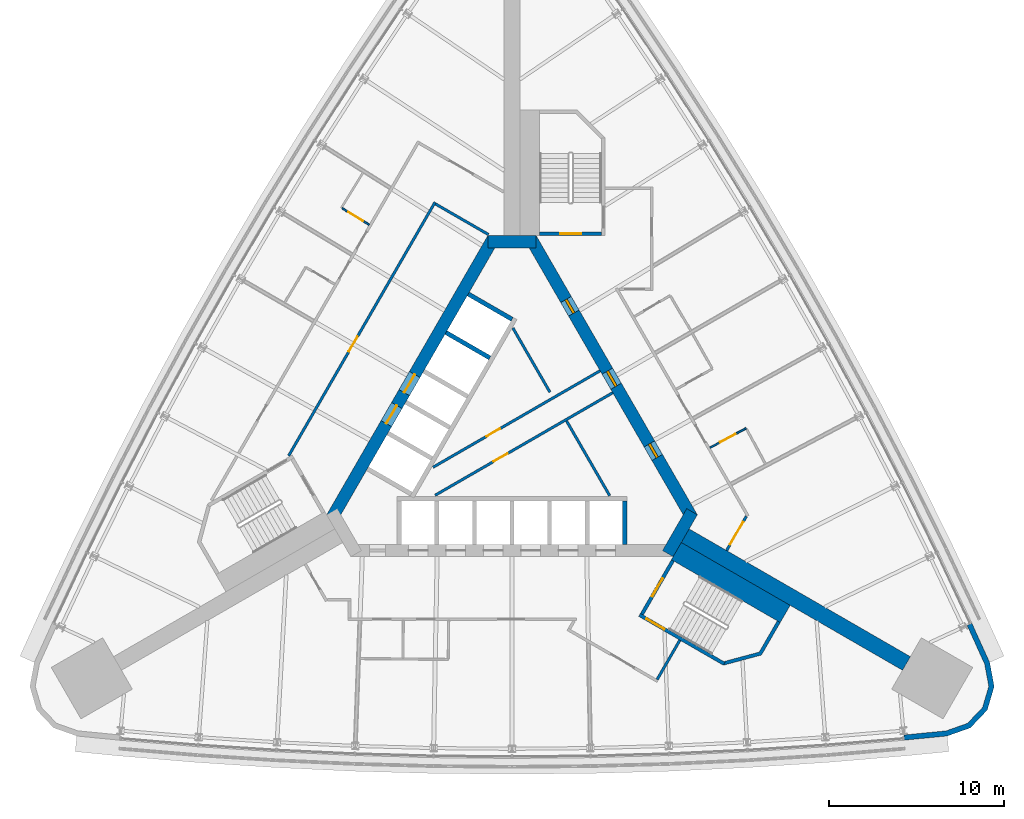
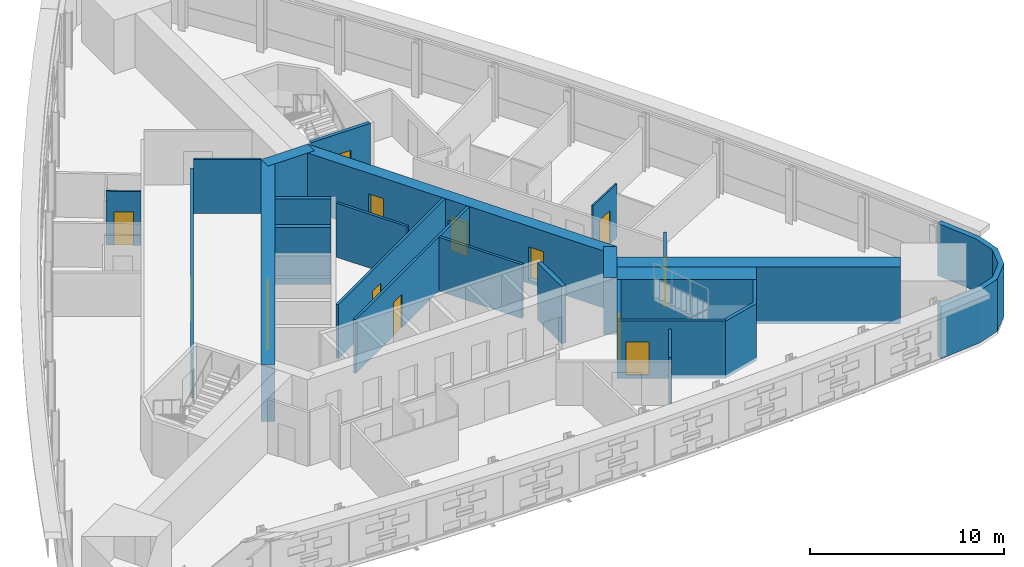
# One storey, part 11 of 15: 24 walls, 14 doors, 14 openings.
"""IFC4 building model written with IfcOpenShell, lengths in metres."""

from ifc_helpers import new_model, si_unit, direction, frame, frame_2d, origin, place, context, subcontext, project, spatial, polyline, rectangle, outline, extrude, material, layer, layer_set, type_object, element, fill, save


model = new_model("IFC4")

# Units and contexts
model_context = context("Model", 3, precision=1e-05, world=origin(), true_north=direction((0.0, 1.0)))
body_context = subcontext(model_context, "Body", "Model", "MODEL_VIEW")
ifc_project = project(units=[si_unit("LENGTHUNIT", "METRE"), si_unit("AREAUNIT", "SQUARE_METRE"), si_unit("VOLUMEUNIT", "CUBIC_METRE"), si_unit("PLANEANGLEUNIT", "RADIAN"), si_unit("MASSUNIT", "GRAM", prefix="KILO")], contexts=[model_context])

# Site, building, storey
site_placement = place(None, origin())
site = spatial("IfcSite", under=ifc_project, at=site_placement, CompositionType="ELEMENT")
building_placement = place(site_placement, origin())
building = spatial("IfcBuilding", under=site, at=building_placement, Name="Noor Cloister Tower", CompositionType="ELEMENT")
storey_placement = place(building_placement, frame((0.0, 0.0, 27.60009765625)))
storey = spatial("IfcBuildingStorey", under=building, at=storey_placement, Name="L06", CompositionType="ELEMENT", Elevation=27.60009765625)

# Wall
ifc_material_1 = material(Name="Concrete C80/95", Category="concrete")
ifc_layer_1 = layer(ifc_material_1, 0.89990234375)
ifc_layer_set_1 = layer_set([ifc_layer_1], Name="Buttress wall 900 C80/95")
wall_type_1 = type_object("IfcWallType", Name="Buttress wall 900 C80/95", PredefinedType="SHEAR", material=ifc_layer_set_1)
wall_1_placement = place(storey_placement, frame((9.921630859375, -5.728271484375, -0.2001953125), z_axis=(0.0, 0.0, 1.0), x_axis=(0.866028046028, -0.499995423472, 0.0)))
element("IfcWall", 1, at=wall_1_placement, inside=storey, type_object=wall_type_1, Name="Buttress wall SE L06", PredefinedType="SHEAR", context=body_context, shape_type="SweptSolid", body=[
    extrude(rectangle(XDim=14.632568359375, YDim=0.89990234375, at=frame_2d((7.31640625, 0.0))), origin(), (0.0, 0.0, 1.0), 3.60009765625),
])

# Wall, opening, door
ifc_material_2 = material(Name="Concrete C30/37", Category="concrete")
ifc_layer_2 = layer(ifc_material_2, 0.14990234375)
ifc_layer_set_2 = layer_set([ifc_layer_2], Name="Core partition 150 C30/37")
wall_type_2 = type_object("IfcWallType", Name="Core partition 150 C30/37", PredefinedType="PARTITIONING", material=ifc_layer_set_2)
wall_2_placement = place(storey_placement, frame((-4.522705078125, -1.80712890625, 0.0), z_axis=(0.0, 0.0, 1.0), x_axis=(0.866030300338, 0.499991518824, 0.0)))
wall_2 = element("IfcWall", 2, at=wall_2_placement, inside=storey, type_object=wall_type_2, Name="Core room partition L06 1", PredefinedType="PARTITIONING", context=body_context, shape_type="SweptSolid", body=[
    extrude(rectangle(XDim=11.048583984375, YDim=0.14990234375, at=frame_2d((5.5244140625, 0.0))), origin(), (0.0, 0.0, 1.0), 3.39990234375),
])
opening_1_placement = place(wall_2_placement, frame((3.525390625, 0.0, 0.0)))
opening_1 = element("IfcOpeningElement", 3, at=opening_1_placement, cuts=wall_2, Name="Opening L06-906", PredefinedType="OPENING", context=body_context, shape_type="SweptSolid", body=[
    extrude(rectangle(XDim=0.89990234375, YDim=2.10009765625, at=frame_2d((0.449951171875, 1.050048828125))), frame((0.0, 0.0849609375, 0.0), z_axis=(0.0, -1.0, 0.0), x_axis=(1.0, 0.0, 0.0)), (0.0, 0.0, 1.0), 0.169921875),
])
ifc_material_3 = material(Name="Steel", Category="steel")
door_type_1 = type_object("IfcDoorType", Name="Core door 900 x 2100 FD60", OperationType="SINGLE_SWING_LEFT", PredefinedType="DOOR", material=ifc_material_3)
door_1_placement = place(opening_1_placement, origin())
door_1 = element("IfcDoor", 4, at=door_1_placement, inside=storey, type_object=door_type_1, Name="Core door 6 L06", OperationType="SINGLE_SWING_RIGHT", OverallHeight=2.10009765625, OverallWidth=0.89990234375, PredefinedType="DOOR", context=body_context, shape_type="SweptSolid", body=[
    extrude(rectangle(XDim=0.89990234375, YDim=2.10009765625, at=frame_2d((0.449951171875, 1.050048828125))), frame((0.0, 0.02490234375, 0.0), z_axis=(0.0, -1.0, 0.0), x_axis=(1.0, 0.0, 0.0)), (0.0, 0.0, 1.0), 0.050048828125),
])
fill(opening_1, door_1)

wall_3_placement = place(storey_placement, frame((-4.404296875, -3.4130859375, 0.0), z_axis=(0.0, 0.0, 1.0), x_axis=(0.866022252853, 0.500005457533, 0.0)))
wall_3 = element("IfcWall", 5, at=wall_3_placement, inside=storey, type_object=wall_type_2, Name="Core room partition L06 2", PredefinedType="PARTITIONING", context=body_context, shape_type="SweptSolid", body=[
    extrude(rectangle(XDim=11.748779296875, YDim=0.14990234375, at=frame_2d((5.87451171875, 0.0))), origin(), (0.0, 0.0, 1.0), 3.39990234375),
])
opening_2_placement = place(wall_3_placement, frame((3.87548828125, 0.0, 0.0)))
opening_2 = element("IfcOpeningElement", 6, at=opening_2_placement, cuts=wall_3, Name="Opening L06-904", PredefinedType="OPENING", context=body_context, shape_type="SweptSolid", body=[
    extrude(rectangle(XDim=0.89990234375, YDim=2.10009765625, at=frame_2d((0.449951171875, 1.050048828125))), frame((0.0, 0.0849609375, 0.0), z_axis=(0.0, -1.0, 0.0), x_axis=(1.0, 0.0, 0.0)), (0.0, 0.0, 1.0), 0.169921875),
])
ifc_material_4 = material(Name="Steel", Category="steel")
door_type_2 = type_object("IfcDoorType", Name="Core door 900 x 2100 FD120", OperationType="SINGLE_SWING_LEFT", PredefinedType="DOOR", material=ifc_material_4)
door_2_placement = place(opening_2_placement, origin())
door_2 = element("IfcDoor", 7, at=door_2_placement, inside=storey, type_object=door_type_2, Name="Core door 4 L06", OperationType="SINGLE_SWING_RIGHT", OverallHeight=2.10009765625, OverallWidth=0.89990234375, PredefinedType="DOOR", context=body_context, shape_type="SweptSolid", body=[
    extrude(rectangle(XDim=0.89990234375, YDim=2.10009765625, at=frame_2d((0.449951171875, 1.050048828125))), frame((0.0, 0.02490234375, 0.0), z_axis=(0.0, -1.0, 0.0), x_axis=(1.0, 0.0, 0.0)), (0.0, 0.0, 1.0), 0.050048828125),
])
fill(opening_2, door_2)

# Walls
wall_4_placement = place(storey_placement, frame((2.173583984375, 2.491943359375, 0.0), z_axis=(0.0, 0.0, 1.0), x_axis=(-0.499999641798, 0.866025610592, 0.0)))
element("IfcWall", 8, at=wall_4_placement, inside=storey, type_object=wall_type_2, Name="Core room partition L06 3", PredefinedType="PARTITIONING", context=body_context, shape_type="SweptSolid", body=[
    extrude(rectangle(XDim=4.244140625, YDim=0.14990234375, at=frame_2d((2.1220703125, 0.0))), origin(), (0.0, 0.0, 1.0), 3.39990234375),
])
wall_5_placement = place(storey_placement, frame((5.597900390625, -3.439208984375, 0.0), z_axis=(0.0, 0.0, 1.0), x_axis=(-0.500007155043, 0.866021272779, 0.0)))
element("IfcWall", 9, at=wall_5_placement, inside=storey, type_object=wall_type_2, Name="Core room partition L06 4", PredefinedType="PARTITIONING", context=body_context, shape_type="SweptSolid", body=[
    extrude(rectangle(XDim=4.94873046875, YDim=0.14990234375, at=frame_2d((2.474365234375, 0.0))), origin(), (0.0, 0.0, 1.0), 3.39990234375),
])
ifc_material_5 = material(Name="Concrete C80/95", Category="concrete")
ifc_layer_3 = layer(ifc_material_5, 0.699951171875)
ifc_layer_set_3 = layer_set([ifc_layer_3], Name="Core wall 700 C80/95")
wall_type_3 = type_object("IfcWallType", Name="Core wall 700 C80/95", PredefinedType="SHEAR", material=ifc_layer_set_3)
wall_6_placement = place(storey_placement, frame((8.925537109375, -6.753173828125, -0.2001953125), z_axis=(0.0, 0.0, 1.0), x_axis=(0.500042739161, 0.866000726912, 0.0)))
element("IfcWall", 10, at=wall_6_placement, inside=storey, type_object=wall_type_3, Name="Core wall L06 2", PredefinedType="SHEAR", context=body_context, shape_type="SweptSolid", body=[
    extrude(rectangle(XDim=2.771240234375, YDim=0.699951171875, at=frame_2d((1.3857421875, 0.0))), origin(), (0.0, 0.0, 1.0), 3.60009765625),
])

# Wall, openings, doors
wall_7_placement = place(storey_placement, frame((10.311279296875, -4.703125, -0.2001953125), z_axis=(0.0, 0.0, 1.0), x_axis=(-0.500001446645, 0.866024568562, 0.0)))
wall_7 = element("IfcWall", 11, at=wall_7_placement, inside=storey, type_object=wall_type_3, Name="Core wall L06 3", PredefinedType="SHEAR", context=body_context, shape_type="SweptSolid", body=[
    extrude(rectangle(XDim=18.45751953125, YDim=0.699951171875, at=frame_2d((9.228759765625, 0.0))), origin(), (0.0, 0.0, 1.0), 3.60009765625),
])
opening_3_placement = place(wall_7_placement, frame((8.699951171875, 0.0, 0.199951171875)))
opening_3 = element("IfcOpeningElement", 12, at=opening_3_placement, cuts=wall_7, Name="Opening L06-901", PredefinedType="OPENING", context=body_context, shape_type="SweptSolid", body=[
    extrude(rectangle(XDim=1.0, YDim=2.10009765625, at=frame_2d((0.5, 1.050048828125))), frame((0.0, 0.35986328125, 0.0), z_axis=(0.0, -1.0, 0.0), x_axis=(1.0, 0.0, 0.0)), (0.0, 0.0, 1.0), 0.719970703125),
])
opening_4_placement = place(wall_7_placement, frame((3.989501953125, 0.0, 0.199951171875)))
opening_4 = element("IfcOpeningElement", 13, at=opening_4_placement, cuts=wall_7, Name="Opening L06-902", PredefinedType="OPENING", context=body_context, shape_type="SweptSolid", body=[
    extrude(rectangle(XDim=0.89990234375, YDim=2.10009765625, at=frame_2d((0.449951171875, 1.050048828125))), frame((0.0, 0.35986328125, 0.0), z_axis=(0.0, -1.0, 0.0), x_axis=(1.0, 0.0, 0.0)), (0.0, 0.0, 1.0), 0.719970703125),
])
opening_5_placement = place(wall_7_placement, frame((13.539306640625, 0.0, 0.199951171875)))
opening_5 = element("IfcOpeningElement", 14, at=opening_5_placement, cuts=wall_7, Name="Opening L06-903", PredefinedType="OPENING", context=body_context, shape_type="SweptSolid", body=[
    extrude(rectangle(XDim=0.89990234375, YDim=2.10009765625, at=frame_2d((0.449951171875, 1.050048828125))), frame((0.0, 0.35986328125, 0.0), z_axis=(0.0, -1.0, 0.0), x_axis=(1.0, 0.0, 0.0)), (0.0, 0.0, 1.0), 0.719970703125),
])
ifc_material_6 = material(Name="Steel", Category="steel")
door_type_3 = type_object("IfcDoorType", Name="Core door 1000 x 2100 FD120", OperationType="SINGLE_SWING_LEFT", PredefinedType="DOOR", material=ifc_material_6)
door_3_placement = place(opening_3_placement, origin())
door_3 = element("IfcDoor", 15, at=door_3_placement, inside=storey, type_object=door_type_3, Name="Core door 1 L06", OperationType="SINGLE_SWING_LEFT", OverallHeight=2.10009765625, OverallWidth=1.0, PredefinedType="DOOR", context=body_context, shape_type="SweptSolid", body=[
    extrude(rectangle(XDim=1.0, YDim=2.10009765625, at=frame_2d((0.5, 1.050048828125))), frame((0.0, 0.074951171875, 0.0), z_axis=(0.0, -1.0, 0.0), x_axis=(1.0, 0.0, 0.0)), (0.0, 0.0, 1.0), 0.14990234375),
])
fill(opening_3, door_3)
door_4_placement = place(opening_4_placement, origin())
door_4 = element("IfcDoor", 16, at=door_4_placement, inside=storey, type_object=door_type_2, Name="Core door 2 L06", OperationType="SINGLE_SWING_RIGHT", OverallHeight=2.10009765625, OverallWidth=0.89990234375, PredefinedType="DOOR", context=body_context, shape_type="SweptSolid", body=[
    extrude(rectangle(XDim=0.89990234375, YDim=2.10009765625, at=frame_2d((0.449951171875, 1.050048828125))), frame((0.0, 0.074951171875, 0.0), z_axis=(0.0, -1.0, 0.0), x_axis=(1.0, 0.0, 0.0)), (0.0, 0.0, 1.0), 0.14990234375),
])
fill(opening_4, door_4)
door_5_placement = place(opening_5_placement, origin())
door_5 = element("IfcDoor", 17, at=door_5_placement, inside=storey, type_object=door_type_2, Name="Core door 3 L06", OperationType="SINGLE_SWING_LEFT", OverallHeight=2.10009765625, OverallWidth=0.89990234375, PredefinedType="DOOR", context=body_context, shape_type="SweptSolid", body=[
    extrude(rectangle(XDim=0.89990234375, YDim=2.10009765625, at=frame_2d((0.449951171875, 1.050048828125))), frame((0.0, 0.074951171875, 0.0), z_axis=(0.0, -1.0, 0.0), x_axis=(1.0, 0.0, 0.0)), (0.0, 0.0, 1.0), 0.14990234375),
])
fill(opening_5, door_5)

# Wall
wall_8_placement = place(storey_placement, frame((1.3857421875, 11.1064453125, -0.2001953125), z_axis=(0.0, 0.0, 1.0), x_axis=(-1.0, 0.0, 0.0)))
element("IfcWall", 18, at=wall_8_placement, inside=storey, type_object=wall_type_3, Name="Core wall L06 4", PredefinedType="SHEAR", context=body_context, shape_type="SweptSolid", body=[
    extrude(rectangle(XDim=2.771484375, YDim=0.699951171875, at=frame_2d((1.3857421875, 0.0))), origin(), (0.0, 0.0, 1.0), 3.60009765625),
])

# Wall, openings, doors
wall_9_placement = place(storey_placement, frame((-1.08251953125, 11.281494140625, -0.2001953125), z_axis=(0.0, 0.0, 1.0), x_axis=(-0.500001446645, -0.866024568562, 0.0)))
wall_9 = element("IfcWall", 19, at=wall_9_placement, inside=storey, type_object=wall_type_3, Name="Core wall L06 5", PredefinedType="SHEAR", context=body_context, shape_type="SweptSolid", body=[
    extrude(rectangle(XDim=18.45751953125, YDim=0.699951171875, at=frame_2d((9.228759765625, 0.0))), origin(), (0.0, 0.0, 1.0), 3.60009765625),
])
opening_6_placement = place(wall_9_placement, frame((8.978759765625, 0.0, 0.199951171875)))
opening_6 = element("IfcOpeningElement", 20, at=opening_6_placement, cuts=wall_9, Name="Opening L06-FF1", PredefinedType="OPENING", context=body_context, shape_type="SweptSolid", body=[
    extrude(rectangle(XDim=1.199951171875, YDim=2.10009765625, at=frame_2d((0.60009765625, 1.050048828125))), frame((0.0, 0.35986328125, 0.0), z_axis=(0.0, -1.0, 0.0), x_axis=(1.0, 0.0, 0.0)), (0.0, 0.0, 1.0), 0.719970703125),
])
opening_7_placement = place(wall_9_placement, frame((11.02880859375, 0.0, 0.199951171875)))
opening_7 = element("IfcOpeningElement", 21, at=opening_7_placement, cuts=wall_9, Name="Opening L06-FF2", PredefinedType="OPENING", context=body_context, shape_type="SweptSolid", body=[
    extrude(rectangle(XDim=1.199951171875, YDim=2.10009765625, at=frame_2d((0.60009765625, 1.050048828125))), frame((0.0, 0.35986328125, 0.0), z_axis=(0.0, -1.0, 0.0), x_axis=(1.0, 0.0, 0.0)), (0.0, 0.0, 1.0), 0.719970703125),
])
ifc_material_7 = material(Name="Stainless steel", Category="steel")
door_type_4 = type_object("IfcDoorType", Name="Lift landing door 1200 x 2100", OperationType="DOUBLE_DOOR_SLIDING", PredefinedType="DOOR", material=ifc_material_7)
door_6_placement = place(opening_6_placement, origin())
door_6 = element("IfcDoor", 22, at=door_6_placement, inside=storey, type_object=door_type_4, Name="Landing door FF1 L06", OperationType="DOUBLE_DOOR_SLIDING", OverallHeight=2.10009765625, OverallWidth=1.199951171875, PredefinedType="DOOR", context=body_context, shape_type="SweptSolid", body=[
    extrude(rectangle(XDim=1.199951171875, YDim=2.10009765625, at=frame_2d((0.60009765625, 1.050048828125))), frame((0.0, 0.02490234375, 0.0), z_axis=(0.0, -1.0, 0.0), x_axis=(1.0, 0.0, 0.0)), (0.0, 0.0, 1.0), 0.050048828125),
])
fill(opening_6, door_6)
door_7_placement = place(opening_7_placement, origin())
door_7 = element("IfcDoor", 23, at=door_7_placement, inside=storey, type_object=door_type_4, Name="Landing door FF2 L06", OperationType="DOUBLE_DOOR_SLIDING", OverallHeight=2.10009765625, OverallWidth=1.199951171875, PredefinedType="DOOR", context=body_context, shape_type="SweptSolid", body=[
    extrude(rectangle(XDim=1.199951171875, YDim=2.10009765625, at=frame_2d((0.60009765625, 1.050048828125))), frame((0.0, 0.02490234375, 0.0), z_axis=(0.0, -1.0, 0.0), x_axis=(1.0, 0.0, 0.0)), (0.0, 0.0, 1.0), 0.050048828125),
])
fill(opening_7, door_7)

# Wall, opening, door
ifc_material_8 = material(Name="Fire-rated gypsum board partition on steel studs, 150 mm", Category="steel")
ifc_layer_4 = layer(ifc_material_8, 0.14990234375)
ifc_layer_set_4 = layer_set([ifc_layer_4], Name="Fire lobby wall 150")
wall_type_4 = type_object("IfcWallType", Name="Fire lobby wall 150", PredefinedType="PARTITIONING", material=ifc_layer_set_4)
wall_10_placement = place(storey_placement, frame((-4.40673828125, 13.373779296875, 0.0), z_axis=(0.0, 0.0, 1.0), x_axis=(-0.499997181693, -0.866027030928, 0.0)))
wall_10 = element("IfcWall", 24, at=wall_10_placement, inside=storey, type_object=wall_type_4, Name="Fire lobby wall 150 L06 002", PredefinedType="PARTITIONING", context=body_context, shape_type="SweptSolid", body=[
    extrude(rectangle(XDim=16.76953125, YDim=0.14990234375, at=frame_2d((8.384765625, 0.0))), origin(), (0.0, 0.0, 1.0), 2.767822265625),
])
opening_8_placement = place(wall_10_placement, frame((8.878662109375, 0.0, 0.0)))
opening_8 = element("IfcOpeningElement", 25, at=opening_8_placement, cuts=wall_10, Name="Opening L06-004", PredefinedType="OPENING", context=body_context, shape_type="SweptSolid", body=[
    extrude(rectangle(XDim=1.0, YDim=2.10009765625, at=frame_2d((0.5, 1.050048828125))), frame((0.0, 0.0849609375, 0.0), z_axis=(0.0, -1.0, 0.0), x_axis=(1.0, 0.0, 0.0)), (0.0, 0.0, 1.0), 0.169921875),
])
ifc_material_9 = material(Name="Timber door leaf with steel frame", Category="steel")
door_type_5 = type_object("IfcDoorType", Name="Fire lobby door 1000", OperationType="NOTDEFINED", PredefinedType="DOOR", material=ifc_material_9)
door_8_placement = place(opening_8_placement, origin())
door_8 = element("IfcDoor", 26, at=door_8_placement, inside=storey, type_object=door_type_5, Name="Fire lobby door 1000 L06-004", OperationType="SINGLE_SWING_RIGHT", OverallHeight=2.10009765625, OverallWidth=1.0, PredefinedType="DOOR", context=body_context, shape_type="SweptSolid", body=[
    extrude(rectangle(XDim=1.0, YDim=2.10009765625, at=frame_2d((0.5, 1.050048828125))), frame((0.0, 0.02490234375, 0.0), z_axis=(0.0, -1.0, 0.0), x_axis=(1.0, 0.0, 0.0)), (0.0, 0.0, 1.0), 0.050048828125),
])
fill(opening_8, door_8)

# Walls
wall_11_placement = place(storey_placement, frame((-4.379150390625, 13.271484375, 0.0), z_axis=(0.0, 0.0, 1.0), x_axis=(0.866019471182, -0.500010275428, 0.0)))
element("IfcWall", 27, at=wall_11_placement, inside=storey, type_object=wall_type_4, Name="Fire lobby wall 150 L06 008", PredefinedType="PARTITIONING", context=body_context, shape_type="SweptSolid", body=[
    extrude(rectangle(XDim=3.5, YDim=0.14990234375, at=frame_2d((1.75, 0.0))), origin(), (0.0, 0.0, 1.0), 3.39990234375),
])
ifc_material_10 = material(Name="Gypsum board partition on steel studs, 150 mm", Category="steel")
ifc_layer_5 = layer(ifc_material_10, 0.14990234375)
ifc_layer_set_5 = layer_set([ifc_layer_5], Name="Flat wall 150")
wall_type_5 = type_object("IfcWallType", Name="Flat wall 150", PredefinedType="PARTITIONING", material=ifc_layer_set_5)
wall_12_placement = place(storey_placement, frame((8.313720703125, -13.963134765625, 0.0), z_axis=(0.0, 0.0, 1.0), x_axis=(0.499936506574, 0.866062058628, 0.0)))
element("IfcWall", 28, at=wall_12_placement, inside=storey, type_object=wall_type_5, Name="Flat wall 150 L06 010", PredefinedType="PARTITIONING", context=body_context, shape_type="SweptSolid", body=[
    extrude(rectangle(XDim=2.599853515625, YDim=0.14990234375, at=frame_2d((1.2998046875, 0.0))), origin(), (0.0, 0.0, 1.0), 2.9228515625),
])

# Wall, opening, door
wall_13_placement = place(storey_placement, frame((13.4208984375, -4.616943359375, 0.0), z_axis=(0.0, 0.0, 1.0), x_axis=(-0.499946688677, -0.866056180903, 0.0)))
wall_13 = element("IfcWall", 29, at=wall_13_placement, inside=storey, type_object=wall_type_5, Name="Flat wall 150 L06 012", PredefinedType="PARTITIONING", context=body_context, shape_type="SweptSolid", body=[
    extrude(rectangle(XDim=2.261962890625, YDim=0.14990234375, at=frame_2d((1.130859375, 0.0))), origin(), (0.0, 0.0, 1.0), 3.39990234375),
])
opening_9_placement = place(wall_13_placement, frame((0.3671875, 0.0, 0.0)))
opening_9 = element("IfcOpeningElement", 30, at=opening_9_placement, cuts=wall_13, Name="Opening L06-014", PredefinedType="OPENING", context=body_context, shape_type="SweptSolid", body=[
    extrude(rectangle(XDim=1.5, YDim=2.10009765625, at=frame_2d((0.75, 1.050048828125))), frame((0.0, 0.0849609375, 0.0), z_axis=(0.0, -1.0, 0.0), x_axis=(1.0, 0.0, 0.0)), (0.0, 0.0, 1.0), 0.169921875),
])
ifc_material_11 = material(Name="Timber door leaf with steel frame", Category="steel")
door_type_6 = type_object("IfcDoorType", Name="Double door 1500 FD60", OperationType="NOTDEFINED", PredefinedType="DOOR", material=ifc_material_11)
door_9_placement = place(opening_9_placement, origin())
door_9 = element("IfcDoor", 31, at=door_9_placement, inside=storey, type_object=door_type_6, Name="Double door 1500 L06-014", OperationType="DOUBLE_DOOR_SINGLE_SWING", OverallHeight=2.10009765625, OverallWidth=1.5, PredefinedType="DOOR", context=body_context, shape_type="SweptSolid", body=[
    extrude(rectangle(XDim=1.5, YDim=2.10009765625, at=frame_2d((0.75, 1.050048828125))), frame((0.0, 0.02490234375, 0.0), z_axis=(0.0, -1.0, 0.0), x_axis=(1.0, 0.0, 0.0)), (0.0, 0.0, 1.0), 0.050048828125),
])
fill(opening_9, door_9)

# Wall
ifc_material_12 = material(Name="Limestone", Category="masonry")
ifc_layer_6 = layer(ifc_material_12, 0.300048828125)
ifc_layer_set_6 = layer_set([ifc_layer_6], Name="Limestone cladding 300")
wall_type_6 = type_object("IfcWallType", Name="Limestone cladding 300", PredefinedType="NOTDEFINED", material=ifc_layer_set_6)
wall_14_placement = place(storey_placement, origin())
element("IfcWall", 32, at=wall_14_placement, inside=storey, type_object=wall_type_6, Name="Limestone pier cladding L06 2.1", PredefinedType="NOTDEFINED", context=body_context, shape_type="SweptSolid", body=[
    extrude(outline(polyline([(22.4677734375, -17.440185546875), (24.9287109375, -17.19873046875), (26.251953125, -16.73193359375), (27.21826171875, -15.714599609375), (27.6162109375, -14.368896484375), (27.35888671875, -12.989501953125), (26.337646484375, -10.737548828125), (26.064453125, -10.861328125), (27.070556640625, -13.080322265625), (27.30810546875, -14.35302734375), (26.951171875, -15.560302734375), (26.084228515625, -16.47314453125), (24.863037109375, -16.903564453125), (22.4384765625, -17.1416015625), (22.4677734375, -17.440185546875)])), origin(), (0.0, 0.0, 1.0), 3.2998046875),
])

# Wall, opening, door
ifc_material_13 = material(Name="Gypsum board partition on steel studs, 100 mm", Category="steel")
ifc_layer_7 = layer(ifc_material_13, 0.10009765625)
ifc_layer_set_7 = layer_set([ifc_layer_7], Name="Partition 100")
wall_type_7 = type_object("IfcWallType", Name="Partition 100", PredefinedType="PARTITIONING", material=ifc_layer_set_7)
wall_15_placement = place(storey_placement, frame((13.408203125, 0.427490234375, 0.0), z_axis=(0.0, 0.0, 1.0), x_axis=(-0.879611235398, -0.475693256797, 0.0)))
wall_15 = element("IfcWall", 33, at=wall_15_placement, inside=storey, type_object=wall_type_7, Name="Partition 100 L06 031", PredefinedType="PARTITIONING", context=body_context, shape_type="SweptSolid", body=[
    extrude(rectangle(XDim=2.346923828125, YDim=0.10009765625, at=frame_2d((1.17333984375, 0.0))), origin(), (0.0, 0.0, 1.0), 3.39990234375),
])
opening_10_placement = place(wall_15_placement, frame((0.699951171875, 0.0, 0.0)))
opening_10 = element("IfcOpeningElement", 34, at=opening_10_placement, cuts=wall_15, Name="Opening L06-018", PredefinedType="OPENING", context=body_context, shape_type="SweptSolid", body=[
    extrude(rectangle(XDim=1.0, YDim=2.10009765625, at=frame_2d((0.5, 1.050048828125))), frame((0.0, 0.06005859375, 0.0), z_axis=(0.0, -1.0, 0.0), x_axis=(1.0, 0.0, 0.0)), (0.0, 0.0, 1.0), 0.1201171875),
])
ifc_material_14 = material(Name="Timber door leaf with steel frame", Category="steel")
door_type_7 = type_object("IfcDoorType", Name="Interior door 1000", OperationType="NOTDEFINED", PredefinedType="DOOR", material=ifc_material_14)
door_10_placement = place(opening_10_placement, origin())
door_10 = element("IfcDoor", 35, at=door_10_placement, inside=storey, type_object=door_type_7, Name="Interior door 1000 L06-018", OperationType="SINGLE_SWING_RIGHT", OverallHeight=2.10009765625, OverallWidth=1.0, PredefinedType="DOOR", context=body_context, shape_type="SweptSolid", body=[
    extrude(rectangle(XDim=1.0, YDim=2.10009765625, at=frame_2d((0.5, 1.050048828125))), frame((0.0, 0.02490234375, 0.0), z_axis=(0.0, -1.0, 0.0), x_axis=(1.0, 0.0, 0.0)), (0.0, 0.0, 1.0), 0.050048828125),
])
fill(opening_10, door_10)

wall_16_placement = place(storey_placement, frame((-9.72509765625, 13.028564453125, 0.0), z_axis=(0.0, 0.0, 1.0), x_axis=(0.851755692017, -0.523939157839, 0.0)))
wall_16 = element("IfcWall", 36, at=wall_16_placement, inside=storey, type_object=wall_type_7, Name="Partition 100 L06 038", PredefinedType="PARTITIONING", context=body_context, shape_type="SweptSolid", body=[
    extrude(rectangle(XDim=1.8076171875, YDim=0.10009765625, at=frame_2d((0.90380859375, 0.0))), origin(), (0.0, 0.0, 1.0), 3.39990234375),
])
opening_11_placement = place(wall_16_placement, frame((0.406005859375, 0.0, 0.0)))
opening_11 = element("IfcOpeningElement", 37, at=opening_11_placement, cuts=wall_16, Name="Opening L06-020", PredefinedType="OPENING", context=body_context, shape_type="SweptSolid", body=[
    extrude(rectangle(XDim=1.0, YDim=2.10009765625, at=frame_2d((0.5, 1.050048828125))), frame((0.0, 0.06005859375, 0.0), z_axis=(0.0, -1.0, 0.0), x_axis=(1.0, 0.0, 0.0)), (0.0, 0.0, 1.0), 0.1201171875),
])
door_11_placement = place(opening_11_placement, origin())
door_11 = element("IfcDoor", 38, at=door_11_placement, inside=storey, type_object=door_type_7, Name="Interior door 1000 L06-020", OperationType="SINGLE_SWING_RIGHT", OverallHeight=2.10009765625, OverallWidth=1.0, PredefinedType="DOOR", context=body_context, shape_type="SweptSolid", body=[
    extrude(rectangle(XDim=1.0, YDim=2.10009765625, at=frame_2d((0.5, 1.050048828125))), frame((0.0, 0.02490234375, 0.0), z_axis=(0.0, -1.0, 0.0), x_axis=(1.0, 0.0, 0.0)), (0.0, 0.0, 1.0), 0.050048828125),
])
fill(opening_11, door_11)

# Walls
ifc_material_15 = material(Name="Concrete C80/95", Category="concrete")
ifc_layer_8 = layer(ifc_material_15, 0.25)
ifc_layer_set_8 = layer_set([ifc_layer_8], Name="Shaft wall 250 C80/95")
wall_type_8 = type_object("IfcWallType", Name="Shaft wall 250 C80/95", PredefinedType="PARTITIONING", material=ifc_layer_set_8)
wall_17_placement = place(storey_placement, frame((6.449951171875, -6.228271484375, -0.2001953125), z_axis=(0.0, 0.0, 1.0), x_axis=(0.0, 1.0, 0.0)))
element("IfcWall", 39, at=wall_17_placement, inside=storey, type_object=wall_type_8, Name="Lift shaft wall L06 S 7", PredefinedType="PARTITIONING", context=body_context, shape_type="SweptSolid", body=[
    extrude(rectangle(XDim=2.5, YDim=0.25, at=frame_2d((1.25, 0.0))), origin(), (0.0, 0.0, 1.0), 3.60009765625),
])
wall_18_placement = place(storey_placement, frame((-2.50634765625, 8.115478515625, -0.2001953125), z_axis=(0.0, 0.0, 1.0), x_axis=(0.865996321171, -0.50005036918, 0.0)))
element("IfcWall", 40, at=wall_18_placement, inside=storey, type_object=wall_type_8, Name="Lift shaft wall L06 NW 1", PredefinedType="PARTITIONING", context=body_context, shape_type="SweptSolid", body=[
    extrude(rectangle(XDim=2.900146484375, YDim=0.25, at=frame_2d((1.4501953125, 0.0))), origin(), (0.0, 0.0, 1.0), 3.60009765625),
])
wall_19_placement = place(storey_placement, frame((-3.78125, 5.906982421875, -0.2001953125), z_axis=(0.0, 0.0, 1.0), x_axis=(0.866032775405, -0.499987231761, 0.0)))
element("IfcWall", 41, at=wall_19_placement, inside=storey, type_object=wall_type_8, Name="Lift shaft wall L06 NW 2", PredefinedType="PARTITIONING", context=body_context, shape_type="SweptSolid", body=[
    extrude(rectangle(XDim=2.89990234375, YDim=0.25, at=frame_2d((1.449951171875, 0.0))), origin(), (0.0, 0.0, 1.0), 3.60009765625),
])
ifc_material_16 = material(Name="Concrete C80/95", Category="concrete")
ifc_layer_9 = layer(ifc_material_16, 1.135986328125)
ifc_layer_set_9 = layer_set([ifc_layer_9], Name="Stair enclosure wall 1136 C80/95")
wall_type_9 = type_object("IfcWallType", Name="Stair enclosure wall 1136 C80/95", PredefinedType="SHEAR", material=ifc_layer_set_9)
wall_20_placement = place(storey_placement, frame((9.41259765625, -6.609619140625, -0.2001953125), z_axis=(0.0, 0.0, 1.0), x_axis=(0.866018442252, -0.500012057535, 0.0)))
element("IfcWall", 42, at=wall_20_placement, inside=storey, type_object=wall_type_9, Name="Stair enclosure wall ST3 L06 riser side", PredefinedType="SHEAR", context=body_context, shape_type="SweptSolid", body=[
    extrude(rectangle(XDim=7.199951171875, YDim=1.1357421875, at=frame_2d((3.60009765625, 0.0))), origin(), (0.0, 0.0, 1.0), 3.60009765625),
])

# Wall, opening, door
ifc_material_17 = material(Name="Concrete C80/95", Category="concrete")
ifc_layer_10 = layer(ifc_material_17, 0.199951171875)
ifc_layer_set_10 = layer_set([ifc_layer_10], Name="Stair enclosure wall 200 C80/95")
wall_type_10 = type_object("IfcWallType", Name="Stair enclosure wall 200 C80/95", PredefinedType="SHEAR", material=ifc_layer_set_10)
wall_21_placement = place(storey_placement, frame((5.135498046875, 11.556396484375, -0.2001953125), z_axis=(0.0, 0.0, 1.0), x_axis=(-1.0, 0.0, 0.0)))
wall_21 = element("IfcWall", 43, at=wall_21_placement, inside=storey, type_object=wall_type_10, Name="Stair enclosure wall ST1 L06 near end", PredefinedType="SHEAR", context=body_context, shape_type="SweptSolid", body=[
    extrude(rectangle(XDim=3.5498046875, YDim=0.199951171875, at=frame_2d((1.77490234375, 0.0))), origin(), (0.0, 0.0, 1.0), 3.60009765625),
])
opening_12_placement = place(wall_21_placement, frame((1.175048828125, 0.0, 0.199951171875)))
opening_12 = element("IfcOpeningElement", 44, at=opening_12_placement, cuts=wall_21, Name="Opening L06-ST1L", PredefinedType="OPENING", context=body_context, shape_type="SweptSolid", body=[
    extrude(rectangle(XDim=1.199951171875, YDim=2.10009765625, at=frame_2d((0.60009765625, 1.050048828125))), frame((0.0, 0.10986328125, 0.0), z_axis=(0.0, -1.0, 0.0), x_axis=(1.0, 0.0, 0.0)), (0.0, 0.0, 1.0), 0.219970703125),
])
ifc_material_18 = material(Name="Steel", Category="steel")
door_type_8 = type_object("IfcDoorType", Name="Stair door 1200 x 2100 FD120", OperationType="SINGLE_SWING_LEFT", PredefinedType="DOOR", material=ifc_material_18)
door_12_placement = place(opening_12_placement, origin())
door_12 = element("IfcDoor", 45, at=door_12_placement, inside=storey, type_object=door_type_8, Name="Stair door ST1 L06", OperationType="SINGLE_SWING_RIGHT", OverallHeight=2.10009765625, OverallWidth=1.199951171875, PredefinedType="DOOR", context=body_context, shape_type="SweptSolid", body=[
    extrude(rectangle(XDim=1.199951171875, YDim=2.10009765625, at=frame_2d((0.60009765625, 1.050048828125))), frame((0.0, 0.02490234375, 0.0), z_axis=(0.0, -1.0, 0.0), x_axis=(1.0, 0.0, 0.0)), (0.0, 0.0, 1.0), 0.050048828125),
])
fill(opening_12, door_12)

wall_22_placement = place(storey_placement, frame((7.440185546875, -10.225830078125, -0.2001953125), z_axis=(0.0, 0.0, 1.0), x_axis=(0.500022077904, 0.866012656725, 0.0)))
wall_22 = element("IfcWall", 46, at=wall_22_placement, inside=storey, type_object=wall_type_10, Name="Stair enclosure wall ST3 L06 near end", PredefinedType="SHEAR", context=body_context, shape_type="SweptSolid", body=[
    extrude(rectangle(XDim=3.550048828125, YDim=0.199951171875, at=frame_2d((1.77490234375, 0.0))), origin(), (0.0, 0.0, 1.0), 3.60009765625),
])
opening_13_placement = place(wall_22_placement, frame((1.175048828125, 0.0, 0.199951171875)))
opening_13 = element("IfcOpeningElement", 47, at=opening_13_placement, cuts=wall_22, Name="Opening L06-ST3L", PredefinedType="OPENING", context=body_context, shape_type="SweptSolid", body=[
    extrude(rectangle(XDim=1.199951171875, YDim=2.10009765625, at=frame_2d((0.60009765625, 1.050048828125))), frame((0.0, 0.10986328125, 0.0), z_axis=(0.0, -1.0, 0.0), x_axis=(1.0, 0.0, 0.0)), (0.0, 0.0, 1.0), 0.219970703125),
])
door_13_placement = place(opening_13_placement, origin())
door_13 = element("IfcDoor", 48, at=door_13_placement, inside=storey, type_object=door_type_8, Name="Stair door ST3 L06", OperationType="SINGLE_SWING_RIGHT", OverallHeight=2.10009765625, OverallWidth=1.199951171875, PredefinedType="DOOR", context=body_context, shape_type="SweptSolid", body=[
    extrude(rectangle(XDim=1.199951171875, YDim=2.10009765625, at=frame_2d((0.60009765625, 1.050048828125))), frame((0.0, 0.02490234375, 0.0), z_axis=(0.0, -1.0, 0.0), x_axis=(1.0, 0.0, 0.0)), (0.0, 0.0, 1.0), 0.050048828125),
])
fill(opening_13, door_13)

wall_23_placement = place(storey_placement, frame((7.3037109375, -10.262451171875, -0.2001953125), z_axis=(0.0, 0.0, 1.0), x_axis=(0.866026594901, -0.49999793692, 0.0)))
wall_23 = element("IfcWall", 49, at=wall_23_placement, inside=storey, type_object=wall_type_10, Name="Stair enclosure wall ST3 L06 outer side", PredefinedType="SHEAR", context=body_context, shape_type="SweptSolid", body=[
    extrude(rectangle(XDim=5.60009765625, YDim=0.199951171875, at=frame_2d((2.800048828125, 0.0))), origin(), (0.0, 0.0, 1.0), 3.60009765625),
])
opening_14_placement = place(wall_23_placement, frame((0.449951171875, 0.0, 0.199951171875)))
opening_14 = element("IfcOpeningElement", 50, at=opening_14_placement, cuts=wall_23, Name="Opening L06-ST3C", PredefinedType="OPENING", context=body_context, shape_type="SweptSolid", body=[
    extrude(rectangle(XDim=1.199951171875, YDim=2.10009765625, at=frame_2d((0.60009765625, 1.050048828125))), frame((0.0, 0.10986328125, 0.0), z_axis=(0.0, -1.0, 0.0), x_axis=(1.0, 0.0, 0.0)), (0.0, 0.0, 1.0), 0.219970703125),
])
door_14_placement = place(opening_14_placement, origin())
door_14 = element("IfcDoor", 51, at=door_14_placement, inside=storey, type_object=door_type_8, Name="Stair door ST3 L06", OperationType="SINGLE_SWING_LEFT", OverallHeight=2.10009765625, OverallWidth=1.199951171875, PredefinedType="DOOR", context=body_context, shape_type="SweptSolid", body=[
    extrude(rectangle(XDim=1.199951171875, YDim=2.10009765625, at=frame_2d((0.60009765625, 1.050048828125))), frame((0.0, 0.02490234375, 0.0), z_axis=(0.0, -1.0, 0.0), x_axis=(1.0, 0.0, 0.0)), (0.0, 0.0, 1.0), 0.050048828125),
])
fill(opening_14, door_14)

# Wall
ifc_material_19 = material(Name="Concrete C80/95", Category="concrete")
wall_type_11 = type_object("IfcWallType", Name="Stair far end wall C80/95", PredefinedType="SHEAR", material=ifc_material_19)
wall_24_placement = place(storey_placement, frame((0.0, 0.0, -0.2001953125)))
element("IfcWall", 52, at=wall_24_placement, inside=storey, type_object=wall_type_11, Name="Stair enclosure wall ST3 L06 far end", PredefinedType="SHEAR", context=body_context, shape_type="SweptSolid", body=[
    extrude(outline(polyline([(12.103515625, -13.14892578125), (14.2890625, -12.5634765625), (15.364013671875, -10.701416015625), (15.19091796875, -10.601318359375), (14.1572265625, -12.3916015625), (12.131591796875, -12.934326171875), (12.20361328125, -12.975830078125), (12.20361328125, -12.975830078125), (12.20361328125, -12.975830078125), (12.20361328125, -12.975830078125), (12.20361328125, -12.975830078125), (12.20361328125, -12.975830078125), (12.20361328125, -12.975830078125), (12.20361328125, -12.975830078125), (12.20361328125, -12.975830078125), (12.20361328125, -12.975830078125), (12.20361328125, -12.975830078125), (12.20361328125, -12.975830078125), (12.20361328125, -12.975830078125), (12.20361328125, -12.975830078125), (12.20361328125, -12.975830078125), (12.20361328125, -12.975830078125), (12.20361328125, -12.975830078125), (12.103515625, -13.14892578125)])), origin(), (0.0, 0.0, 1.0), 3.60009765625),
])

save(model, "model.ifc")
